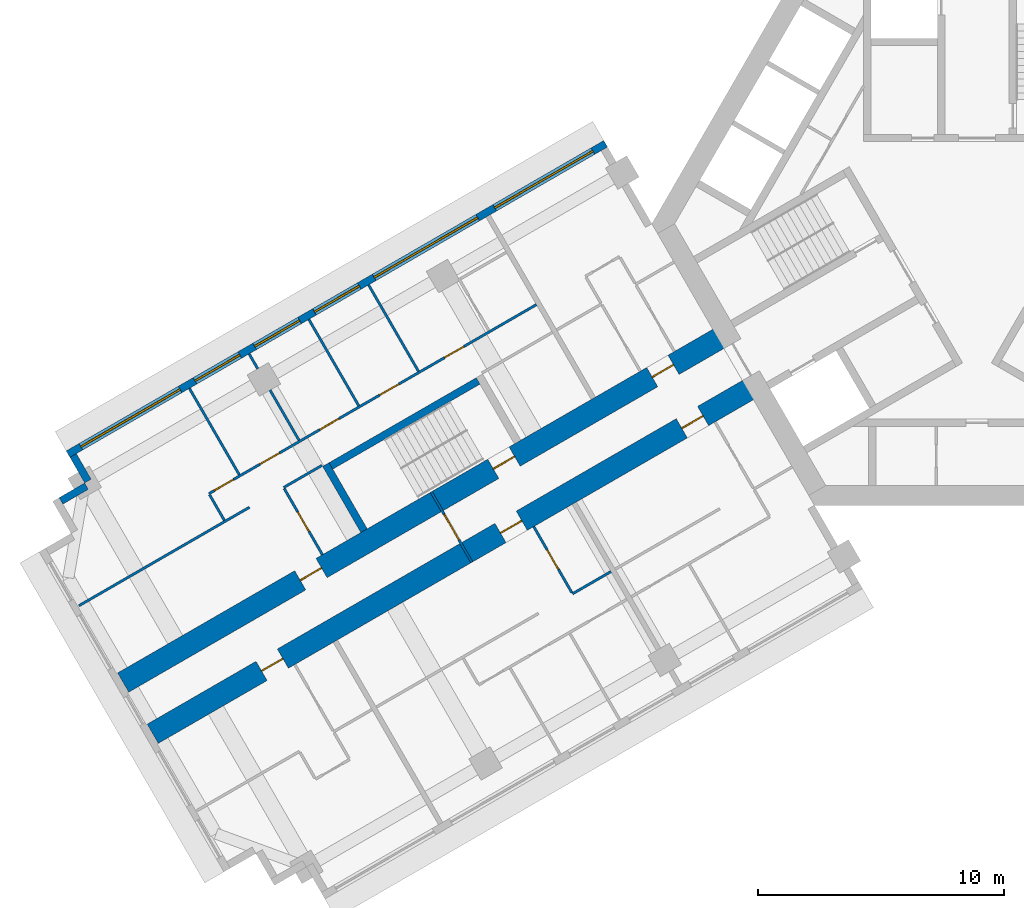
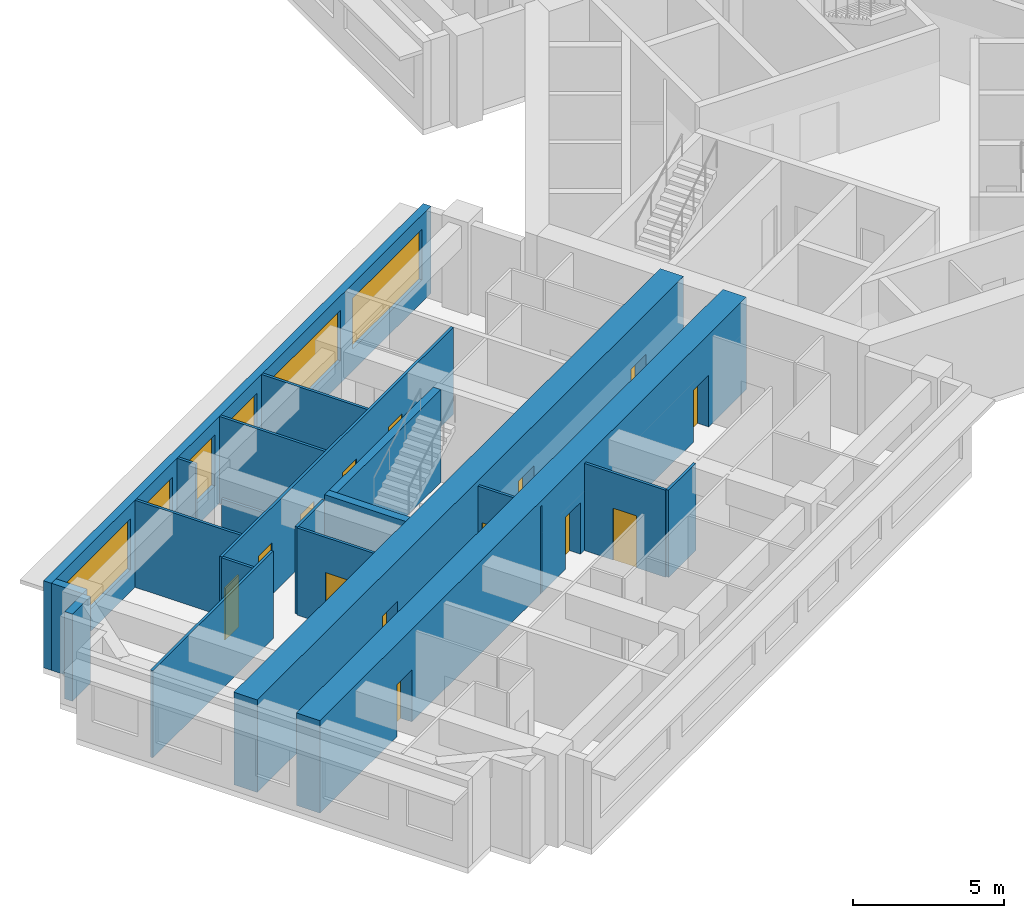
# One storey, part 3 of 13: 20 walls, 14 doors, 6 windows, 20 openings.
"""IFC4 building model written with IfcOpenShell, lengths in metres."""

from ifc_helpers import new_model, si_unit, direction, frame, frame_2d, origin, place, context, subcontext, project, spatial, rectangle, extrude, material, layer, layer_set, type_object, element, fill, save


model = new_model("IFC4")

# Units and contexts
model_context = context("Model", 3, precision=1e-05, world=origin(), true_north=direction((0.0, 1.0)))
body_context = subcontext(model_context, "Body", "Model", "MODEL_VIEW")
ifc_project = project(units=[si_unit("LENGTHUNIT", "METRE"), si_unit("AREAUNIT", "SQUARE_METRE"), si_unit("VOLUMEUNIT", "CUBIC_METRE"), si_unit("PLANEANGLEUNIT", "RADIAN"), si_unit("MASSUNIT", "GRAM", prefix="KILO")], contexts=[model_context])

# Site, building, storey
site_placement = place(None, origin())
site = spatial("IfcSite", under=ifc_project, at=site_placement, CompositionType="ELEMENT")
building_placement = place(site_placement, origin())
building = spatial("IfcBuilding", under=site, at=building_placement, Name="Impinga Residences", CompositionType="ELEMENT")
storey_placement = place(building_placement, frame((0.0, 0.0, 151.0)))
storey = spatial("IfcBuildingStorey", under=building, at=storey_placement, Name="L37", CompositionType="ELEMENT", Elevation=151.0)

# Wall, openings, doors
ifc_material_1 = material(Name="Concrete C60/75", Category="concrete")
ifc_layer_1 = layer(ifc_material_1, 0.89990234375)
ifc_layer_set_1 = layer_set([ifc_layer_1], Name="Concrete C60/75")
wall_type_1 = type_object("IfcWallType", Name="BW2 corridor buttress wall, L24 to L44 900", PredefinedType="SHEAR", material=ifc_layer_set_1)
wall_1_placement = place(storey_placement, frame((-8.95361328125, -6.554931640625, 0.0), z_axis=(0.0, 0.0, 1.0), x_axis=(-0.866023392092, -0.500003484338, 0.0)))
wall_1 = element("IfcWall", 1, at=wall_1_placement, inside=storey, type_object=wall_type_1, Name="Corridor wall BW2 WC L37", PredefinedType="SHEAR", context=body_context, shape_type="SweptSolid", body=[
    extrude(rectangle(XDim=28.300048828125, YDim=0.89990234375, at=frame_2d((14.14990234375, 0.0))), origin(), (0.0, 0.0, 1.0), 3.75),
])
opening_1_placement = place(wall_1_placement, frame((2.5, 0.0, 0.0)))
opening_1 = element("IfcOpeningElement", 2, at=opening_1_placement, cuts=wall_1, Name="Opening D1", PredefinedType="OPENING", context=body_context, shape_type="SweptSolid", body=[
    extrude(rectangle(XDim=1.0, YDim=2.10009765625, at=frame_2d((0.5, 1.050048828125))), frame((0.0, 0.4599609375, 0.0), z_axis=(0.0, -1.0, 0.0), x_axis=(1.0, 0.0, 0.0)), (0.0, 0.0, 1.0), 0.919921875),
])
opening_2_placement = place(wall_1_placement, frame((11.0, 0.0, 0.0)))
opening_2 = element("IfcOpeningElement", 3, at=opening_2_placement, cuts=wall_1, Name="Opening D1", PredefinedType="OPENING", context=body_context, shape_type="SweptSolid", body=[
    extrude(rectangle(XDim=1.0, YDim=2.10009765625, at=frame_2d((0.5, 1.050048828125))), frame((0.0, 0.4599609375, 0.0), z_axis=(0.0, -1.0, 0.0), x_axis=(1.0, 0.0, 0.0)), (0.0, 0.0, 1.0), 0.919921875),
])
opening_3_placement = place(wall_1_placement, frame((22.199951171875, 0.0, 0.0)))
opening_3 = element("IfcOpeningElement", 4, at=opening_3_placement, cuts=wall_1, Name="Opening D1", PredefinedType="OPENING", context=body_context, shape_type="SweptSolid", body=[
    extrude(rectangle(XDim=1.0, YDim=2.10009765625, at=frame_2d((0.5, 1.050048828125))), frame((0.0, 0.4599609375, 0.0), z_axis=(0.0, -1.0, 0.0), x_axis=(1.0, 0.0, 0.0)), (0.0, 0.0, 1.0), 0.919921875),
])
ifc_material_2 = material(Name="Timber door set", Category="wood")
door_type_1 = type_object("IfcDoorType", Name="D1 apartment entrance door 1000x2100", OperationType="SINGLE_SWING_LEFT", PredefinedType="DOOR", material=ifc_material_2)
door_1_placement = place(opening_1_placement, origin())
door_1 = element("IfcDoor", 5, at=door_1_placement, inside=storey, type_object=door_type_1, Name="Apartment L37-WA1 entrance", OperationType="SINGLE_SWING_LEFT", OverallHeight=2.10009765625, OverallWidth=1.0, PredefinedType="DOOR", context=body_context, shape_type="SweptSolid", body=[
    extrude(rectangle(XDim=1.0, YDim=2.10009765625, at=frame_2d((0.5, 1.050048828125))), frame((0.0, 0.02490234375, 0.0), z_axis=(0.0, -1.0, 0.0), x_axis=(1.0, 0.0, 0.0)), (0.0, 0.0, 1.0), 0.050048828125),
])
fill(opening_1, door_1)
door_2_placement = place(opening_2_placement, origin())
door_2 = element("IfcDoor", 6, at=door_2_placement, inside=storey, type_object=door_type_1, Name="Apartment L37-WA2 entrance", OperationType="SINGLE_SWING_LEFT", OverallHeight=2.10009765625, OverallWidth=1.0, PredefinedType="DOOR", context=body_context, shape_type="SweptSolid", body=[
    extrude(rectangle(XDim=1.0, YDim=2.10009765625, at=frame_2d((0.5, 1.050048828125))), frame((0.0, 0.02490234375, 0.0), z_axis=(0.0, -1.0, 0.0), x_axis=(1.0, 0.0, 0.0)), (0.0, 0.0, 1.0), 0.050048828125),
])
fill(opening_2, door_2)
door_3_placement = place(opening_3_placement, origin())
door_3 = element("IfcDoor", 7, at=door_3_placement, inside=storey, type_object=door_type_1, Name="Apartment L37-WA3 entrance", OperationType="SINGLE_SWING_RIGHT", OverallHeight=2.10009765625, OverallWidth=1.0, PredefinedType="DOOR", context=body_context, shape_type="SweptSolid", body=[
    extrude(rectangle(XDim=1.0, YDim=2.10009765625, at=frame_2d((0.5, 1.050048828125))), frame((0.0, 0.02490234375, 0.0), z_axis=(0.0, -1.0, 0.0), x_axis=(1.0, 0.0, 0.0)), (0.0, 0.0, 1.0), 0.050048828125),
])
fill(opening_3, door_3)

wall_2_placement = place(storey_placement, frame((-10.153564453125, -4.4765625, 0.0), z_axis=(0.0, 0.0, 1.0), x_axis=(-0.866027127636, -0.49999701419, 0.0)))
wall_2 = element("IfcWall", 8, at=wall_2_placement, inside=storey, type_object=wall_type_1, Name="Corridor wall BW2 WD L37", PredefinedType="SHEAR", context=body_context, shape_type="SweptSolid", body=[
    extrude(rectangle(XDim=28.300048828125, YDim=0.89990234375, at=frame_2d((14.14990234375, 0.0))), origin(), (0.0, 0.0, 1.0), 3.75),
])
opening_4_placement = place(wall_2_placement, frame((9.949951171875, 0.0, 0.0)))
opening_4 = element("IfcOpeningElement", 9, at=opening_4_placement, cuts=wall_2, Name="Opening D5", PredefinedType="OPENING", context=body_context, shape_type="SweptSolid", body=[
    extrude(rectangle(XDim=1.0, YDim=2.10009765625, at=frame_2d((0.5, 1.050048828125))), frame((0.0, 0.4599609375, 0.0), z_axis=(0.0, -1.0, 0.0), x_axis=(1.0, 0.0, 0.0)), (0.0, 0.0, 1.0), 0.919921875),
])
opening_5_placement = place(wall_2_placement, frame((2.5, 0.0, 0.0)))
opening_5 = element("IfcOpeningElement", 10, at=opening_5_placement, cuts=wall_2, Name="Opening D1", PredefinedType="OPENING", context=body_context, shape_type="SweptSolid", body=[
    extrude(rectangle(XDim=1.0, YDim=2.10009765625, at=frame_2d((0.5, 1.050048828125))), frame((0.0, 0.4599609375, 0.0), z_axis=(0.0, -1.0, 0.0), x_axis=(1.0, 0.0, 0.0)), (0.0, 0.0, 1.0), 0.919921875),
])
opening_6_placement = place(wall_2_placement, frame((19.0, 0.0, 0.0)))
opening_6 = element("IfcOpeningElement", 11, at=opening_6_placement, cuts=wall_2, Name="Opening D1", PredefinedType="OPENING", context=body_context, shape_type="SweptSolid", body=[
    extrude(rectangle(XDim=1.0, YDim=2.10009765625, at=frame_2d((0.5, 1.050048828125))), frame((0.0, 0.4599609375, 0.0), z_axis=(0.0, -1.0, 0.0), x_axis=(1.0, 0.0, 0.0)), (0.0, 0.0, 1.0), 0.919921875),
])
door_4_placement = place(opening_5_placement, origin())
door_4 = element("IfcDoor", 12, at=door_4_placement, inside=storey, type_object=door_type_1, Name="Apartment L37-WF1 entrance", OperationType="SINGLE_SWING_LEFT", OverallHeight=2.10009765625, OverallWidth=1.0, PredefinedType="DOOR", context=body_context, shape_type="SweptSolid", body=[
    extrude(rectangle(XDim=1.0, YDim=2.10009765625, at=frame_2d((0.5, 1.050048828125))), frame((0.0, 0.02490234375, 0.0), z_axis=(0.0, -1.0, 0.0), x_axis=(1.0, 0.0, 0.0)), (0.0, 0.0, 1.0), 0.050048828125),
])
fill(opening_5, door_4)
door_5_placement = place(opening_6_placement, origin())
door_5 = element("IfcDoor", 13, at=door_5_placement, inside=storey, type_object=door_type_1, Name="Apartment L37-WF2 entrance", OperationType="SINGLE_SWING_RIGHT", OverallHeight=2.10009765625, OverallWidth=1.0, PredefinedType="DOOR", context=body_context, shape_type="SweptSolid", body=[
    extrude(rectangle(XDim=1.0, YDim=2.10009765625, at=frame_2d((0.5, 1.050048828125))), frame((0.0, 0.02490234375, 0.0), z_axis=(0.0, -1.0, 0.0), x_axis=(1.0, 0.0, 0.0)), (0.0, 0.0, 1.0), 0.050048828125),
])
fill(opening_6, door_5)
door_type_2 = type_object("IfcDoorType", Name="D5 stair door 1000x2100", OperationType="SINGLE_SWING_LEFT", PredefinedType="DOOR", material=ifc_material_2)
door_6_placement = place(opening_4_placement, origin())
door_6 = element("IfcDoor", 14, at=door_6_placement, inside=storey, type_object=door_type_2, Name="Wing stair door W", OperationType="SINGLE_SWING_LEFT", OverallHeight=2.10009765625, OverallWidth=1.0, PredefinedType="DOOR", context=body_context, shape_type="SweptSolid", body=[
    extrude(rectangle(XDim=1.0, YDim=2.10009765625, at=frame_2d((0.5, 1.050048828125))), frame((0.0, 0.02490234375, 0.0), z_axis=(0.0, -1.0, 0.0), x_axis=(1.0, 0.0, 0.0)), (0.0, 0.0, 1.0), 0.050048828125),
])
fill(opening_4, door_6)

# Wall, opening, door
ifc_material_3 = material(Name="Concrete blockwork", Category="masonry")
ifc_layer_2 = layer(ifc_material_3, 0.10009765625)
ifc_layer_set_2 = layer_set([ifc_layer_2], Name="CP1 core room partition, blockwork 100")
wall_type_2 = type_object("IfcWallType", Name="CP1 core room partition, blockwork 100", PredefinedType="PARTITIONING", material=ifc_layer_set_2)
wall_3_placement = place(storey_placement, frame((-20.506591796875, -13.74462890625, 0.0), z_axis=(0.0, 0.0, 1.0), x_axis=(-0.499974350878, 0.866040211805, 0.0)))
wall_3 = element("IfcWall", 15, at=wall_3_placement, inside=storey, type_object=wall_type_2, Name="Core room partition, blockwork L37:W:PLB", PredefinedType="PARTITIONING", context=body_context, shape_type="SweptSolid", body=[
    extrude(rectangle(XDim=3.300048828125, YDim=0.10009765625, at=frame_2d((1.64990234375, 0.0))), origin(), (0.0, 0.0, 1.0), 3.530029296875),
])
opening_7_placement = place(wall_3_placement, frame((1.050048828125, 0.0, 0.0)))
opening_7 = element("IfcOpeningElement", 16, at=opening_7_placement, cuts=wall_3, Name="Opening D3", PredefinedType="OPENING", context=body_context, shape_type="SweptSolid", body=[
    extrude(rectangle(XDim=1.199951171875, YDim=2.10009765625, at=frame_2d((0.60009765625, 1.050048828125))), frame((0.0, 0.06005859375, 0.0), z_axis=(0.0, -1.0, 0.0), x_axis=(1.0, 0.0, 0.0)), (0.0, 0.0, 1.0), 0.1201171875),
])
door_type_3 = type_object("IfcDoorType", Name="D3 room door, leaf and a half 1200x2100", OperationType="DOUBLE_SWING_LEFT", PredefinedType="DOOR", material=ifc_material_2)
door_7_placement = place(opening_7_placement, origin())
door_7 = element("IfcDoor", 17, at=door_7_placement, inside=storey, type_object=door_type_3, Name="Private lobby door W", OperationType="DOUBLE_SWING_LEFT", OverallHeight=2.10009765625, OverallWidth=1.199951171875, PredefinedType="DOOR", context=body_context, shape_type="SweptSolid", body=[
    extrude(rectangle(XDim=1.199951171875, YDim=2.10009765625, at=frame_2d((0.60009765625, 1.050048828125))), frame((0.0, 0.02490234375, 0.0), z_axis=(0.0, -1.0, 0.0), x_axis=(1.0, 0.0, 0.0)), (0.0, 0.0, 1.0), 0.050048828125),
])
fill(opening_7, door_7)

# Walls
ifc_material_4 = material(Name="Terracotta rainscreen on blockwork", Category="masonry")
ifc_layer_3 = layer(ifc_material_4, 0.300048828125)
ifc_layer_set_3 = layer_set([ifc_layer_3], Name="EW1 external wall, terracotta rainscreen on blockwork 300")
wall_type_3 = type_object("IfcWallType", Name="EW1 external wall, terracotta rainscreen on blockwork 300", PredefinedType="SOLIDWALL", material=ifc_layer_set_3)
wall_4_placement = place(storey_placement, frame((-37.18798828125, -11.25146484375, 0.0), z_axis=(0.0, 0.0, 1.0), x_axis=(0.866059708757, 0.499940577336, 0.0)))
element("IfcWall", 18, at=wall_4_placement, inside=storey, type_object=wall_type_3, Name="External wall EW1 L37", PredefinedType="SOLIDWALL", context=body_context, shape_type="SweptSolid", body=[
    extrude(rectangle(XDim=1.195068359375, YDim=0.300048828125, at=frame_2d((0.59765625, 0.0))), origin(), (0.0, 0.0, 1.0), 3.530029296875),
])
wall_5_placement = place(storey_placement, frame((-36.093994140625, -10.446533203125, 0.0), z_axis=(0.0, 0.0, 1.0), x_axis=(-0.499880961361, 0.866094119867, 0.0)))
element("IfcWall", 19, at=wall_5_placement, inside=storey, type_object=wall_type_3, Name="External wall EW1 L37", PredefinedType="SOLIDWALL", context=body_context, shape_type="SweptSolid", body=[
    extrude(rectangle(XDim=1.199951171875, YDim=0.300048828125, at=frame_2d((0.60009765625, 0.0))), origin(), (0.0, 0.0, 1.0), 3.530029296875),
])

# Wall, openings, windows
wall_6_placement = place(storey_placement, frame((-36.89892578125, -9.352294921875, 0.0), z_axis=(0.0, 0.0, 1.0), x_axis=(0.86602925447, 0.499993330357, 0.0)))
wall_6 = element("IfcWall", 20, at=wall_6_placement, inside=storey, type_object=wall_type_3, Name="External wall EW1 L37", PredefinedType="SOLIDWALL", context=body_context, shape_type="SweptSolid", body=[
    extrude(rectangle(XDim=25.199951171875, YDim=0.300048828125, at=frame_2d((12.60009765625, 0.0))), origin(), (0.0, 0.0, 1.0), 3.530029296875),
])
opening_8_placement = place(wall_6_placement, frame((0.60009765625, 0.0, 0.89990234375)))
opening_8 = element("IfcOpeningElement", 21, at=opening_8_placement, cuts=wall_6, Name="Opening W10", PredefinedType="OPENING", context=body_context, shape_type="SweptSolid", body=[
    extrude(rectangle(XDim=4.64990234375, YDim=2.050048828125, at=frame_2d((2.324951171875, 1.02490234375))), frame((0.0, 0.159912109375, 0.0), z_axis=(0.0, -1.0, 0.0), x_axis=(1.0, 0.0, 0.0)), (0.0, 0.0, 1.0), 0.320068359375),
])
opening_9_placement = place(wall_6_placement, frame((5.949951171875, 0.0, 0.89990234375)))
opening_9 = element("IfcOpeningElement", 22, at=opening_9_placement, cuts=wall_6, Name="Opening W9", PredefinedType="OPENING", context=body_context, shape_type="SweptSolid", body=[
    extrude(rectangle(XDim=2.10009765625, YDim=2.050048828125, at=frame_2d((1.050048828125, 1.02490234375))), frame((0.0, 0.159912109375, 0.0), z_axis=(0.0, -1.0, 0.0), x_axis=(1.0, 0.0, 0.0)), (0.0, 0.0, 1.0), 0.320068359375),
])
opening_10_placement = place(wall_6_placement, frame((8.75, 0.0, 0.89990234375)))
opening_10 = element("IfcOpeningElement", 23, at=opening_10_placement, cuts=wall_6, Name="Opening W9", PredefinedType="OPENING", context=body_context, shape_type="SweptSolid", body=[
    extrude(rectangle(XDim=2.10009765625, YDim=2.050048828125, at=frame_2d((1.050048828125, 1.02490234375))), frame((0.0, 0.159912109375, 0.0), z_axis=(0.0, -1.0, 0.0), x_axis=(1.0, 0.0, 0.0)), (0.0, 0.0, 1.0), 0.320068359375),
])
opening_11_placement = place(wall_6_placement, frame((11.550048828125, 0.0, 0.89990234375)))
opening_11 = element("IfcOpeningElement", 24, at=opening_11_placement, cuts=wall_6, Name="Opening W9", PredefinedType="OPENING", context=body_context, shape_type="SweptSolid", body=[
    extrude(rectangle(XDim=2.10009765625, YDim=2.050048828125, at=frame_2d((1.050048828125, 1.02490234375))), frame((0.0, 0.159912109375, 0.0), z_axis=(0.0, -1.0, 0.0), x_axis=(1.0, 0.0, 0.0)), (0.0, 0.0, 1.0), 0.320068359375),
])
opening_12_placement = place(wall_6_placement, frame((14.35009765625, 0.0, 0.89990234375)))
opening_12 = element("IfcOpeningElement", 25, at=opening_12_placement, cuts=wall_6, Name="Opening W6", PredefinedType="OPENING", context=body_context, shape_type="SweptSolid", body=[
    extrude(rectangle(XDim=4.85009765625, YDim=2.050048828125, at=frame_2d((2.425048828125, 1.02490234375))), frame((0.0, 0.159912109375, 0.0), z_axis=(0.0, -1.0, 0.0), x_axis=(1.0, 0.0, 0.0)), (0.0, 0.0, 1.0), 0.320068359375),
])
opening_13_placement = place(wall_6_placement, frame((20.0, 0.0, 0.89990234375)))
opening_13 = element("IfcOpeningElement", 26, at=opening_13_placement, cuts=wall_6, Name="Opening W3", PredefinedType="OPENING", context=body_context, shape_type="SweptSolid", body=[
    extrude(rectangle(XDim=4.60009765625, YDim=2.050048828125, at=frame_2d((2.300048828125, 1.02490234375))), frame((0.0, 0.159912109375, 0.0), z_axis=(0.0, -1.0, 0.0), x_axis=(1.0, 0.0, 0.0)), (0.0, 0.0, 1.0), 0.320068359375),
])
ifc_material_5 = material(Name="Aluminium window, clear double glazing", Category="aluminium")
window_type_1 = type_object("IfcWindowType", Name="W10 ribbon window 4650x2050", PartitioningType="SINGLE_PANEL", PredefinedType="WINDOW", material=ifc_material_5)
window_1_placement = place(opening_8_placement, origin())
window_1 = element("IfcWindow", 27, at=window_1_placement, inside=storey, type_object=window_type_1, Name="Window L37", OverallHeight=2.050048828125, OverallWidth=4.64990234375, PartitioningType="SINGLE_PANEL", PredefinedType="WINDOW", context=body_context, shape_type="SweptSolid", body=[
    extrude(rectangle(XDim=4.64990234375, YDim=2.050048828125, at=frame_2d((2.324951171875, 1.02490234375))), frame((0.0, 0.030029296875, 0.0), z_axis=(0.0, -1.0, 0.0), x_axis=(1.0, 0.0, 0.0)), (0.0, 0.0, 1.0), 0.06005859375),
])
fill(opening_8, window_1)
window_type_2 = type_object("IfcWindowType", Name="W3 ribbon window 4600x2050", PartitioningType="SINGLE_PANEL", PredefinedType="WINDOW", material=ifc_material_5)
window_2_placement = place(opening_13_placement, origin())
window_2 = element("IfcWindow", 28, at=window_2_placement, inside=storey, type_object=window_type_2, Name="Window L37", OverallHeight=2.050048828125, OverallWidth=4.60009765625, PartitioningType="SINGLE_PANEL", PredefinedType="WINDOW", context=body_context, shape_type="SweptSolid", body=[
    extrude(rectangle(XDim=4.60009765625, YDim=2.050048828125, at=frame_2d((2.300048828125, 1.02490234375))), frame((0.0, 0.030029296875, 0.0), z_axis=(0.0, -1.0, 0.0), x_axis=(1.0, 0.0, 0.0)), (0.0, 0.0, 1.0), 0.06005859375),
])
fill(opening_13, window_2)
window_type_3 = type_object("IfcWindowType", Name="W6 ribbon window 4850x2050", PartitioningType="SINGLE_PANEL", PredefinedType="WINDOW", material=ifc_material_5)
window_3_placement = place(opening_12_placement, origin())
window_3 = element("IfcWindow", 29, at=window_3_placement, inside=storey, type_object=window_type_3, Name="Window L37", OverallHeight=2.050048828125, OverallWidth=4.85009765625, PartitioningType="SINGLE_PANEL", PredefinedType="WINDOW", context=body_context, shape_type="SweptSolid", body=[
    extrude(rectangle(XDim=4.85009765625, YDim=2.050048828125, at=frame_2d((2.425048828125, 1.02490234375))), frame((0.0, 0.030029296875, 0.0), z_axis=(0.0, -1.0, 0.0), x_axis=(1.0, 0.0, 0.0)), (0.0, 0.0, 1.0), 0.06005859375),
])
fill(opening_12, window_3)
window_type_4 = type_object("IfcWindowType", Name="W9 ribbon window 2100x2050", PartitioningType="SINGLE_PANEL", PredefinedType="WINDOW", material=ifc_material_5)
window_4_placement = place(opening_9_placement, origin())
window_4 = element("IfcWindow", 30, at=window_4_placement, inside=storey, type_object=window_type_4, Name="Window L37", OverallHeight=2.050048828125, OverallWidth=2.10009765625, PartitioningType="SINGLE_PANEL", PredefinedType="WINDOW", context=body_context, shape_type="SweptSolid", body=[
    extrude(rectangle(XDim=2.10009765625, YDim=2.050048828125, at=frame_2d((1.050048828125, 1.02490234375))), frame((0.0, 0.030029296875, 0.0), z_axis=(0.0, -1.0, 0.0), x_axis=(1.0, 0.0, 0.0)), (0.0, 0.0, 1.0), 0.06005859375),
])
fill(opening_9, window_4)
window_5_placement = place(opening_10_placement, origin())
window_5 = element("IfcWindow", 31, at=window_5_placement, inside=storey, type_object=window_type_4, Name="Window L37", OverallHeight=2.050048828125, OverallWidth=2.10009765625, PartitioningType="SINGLE_PANEL", PredefinedType="WINDOW", context=body_context, shape_type="SweptSolid", body=[
    extrude(rectangle(XDim=2.10009765625, YDim=2.050048828125, at=frame_2d((1.050048828125, 1.02490234375))), frame((0.0, 0.030029296875, 0.0), z_axis=(0.0, -1.0, 0.0), x_axis=(1.0, 0.0, 0.0)), (0.0, 0.0, 1.0), 0.06005859375),
])
fill(opening_10, window_5)
window_6_placement = place(opening_11_placement, origin())
window_6 = element("IfcWindow", 32, at=window_6_placement, inside=storey, type_object=window_type_4, Name="Window L37", OverallHeight=2.050048828125, OverallWidth=2.10009765625, PartitioningType="SINGLE_PANEL", PredefinedType="WINDOW", context=body_context, shape_type="SweptSolid", body=[
    extrude(rectangle(XDim=2.10009765625, YDim=2.050048828125, at=frame_2d((1.050048828125, 1.02490234375))), frame((0.0, 0.030029296875, 0.0), z_axis=(0.0, -1.0, 0.0), x_axis=(1.0, 0.0, 0.0)), (0.0, 0.0, 1.0), 0.06005859375),
])
fill(opening_11, window_6)

# Wall
ifc_material_6 = material(Name="Gypsum board on steel studs", Category="steel")
ifc_layer_4 = layer(ifc_material_6, 0.10009765625)
ifc_layer_set_4 = layer_set([ifc_layer_4], Name="Gypsum board on steel studs")
wall_type_4 = type_object("IfcWallType", Name="IP1 partition 100", PredefinedType="PARTITIONING", material=ifc_layer_set_4)
wall_7_placement = place(storey_placement, frame((-14.861328125, -14.122802734375, 0.0), z_axis=(0.0, 0.0, 1.0), x_axis=(-0.866047807691, -0.499961193289, 0.0)))
element("IfcWall", 33, at=wall_7_placement, inside=storey, type_object=wall_type_4, Name="Partition L37-WA2:DIV0", PredefinedType="PARTITIONING", context=body_context, shape_type="SweptSolid", body=[
    extrude(rectangle(XDim=1.800048828125, YDim=0.10009765625, at=frame_2d((0.89990234375, 0.0))), origin(), (0.0, 0.0, 1.0), 3.530029296875),
])

# Wall, opening, door
wall_8_placement = place(storey_placement, frame((-17.9951171875, -12.294677734375, 0.0), z_axis=(0.0, 0.0, 1.0), x_axis=(0.49999285859, -0.86602952684, 0.0)))
wall_8 = element("IfcWall", 34, at=wall_8_placement, inside=storey, type_object=wall_type_4, Name="Partition L37-WA2:IB1", PredefinedType="PARTITIONING", context=body_context, shape_type="SweptSolid", body=[
    extrude(rectangle(XDim=3.10009765625, YDim=0.10009765625, at=frame_2d((1.550048828125, 0.0))), origin(), (0.0, 0.0, 1.0), 3.530029296875),
])
opening_14_placement = place(wall_8_placement, frame((1.10009765625, 0.0, 0.0)))
opening_14 = element("IfcOpeningElement", 35, at=opening_14_placement, cuts=wall_8, Name="Opening D2", PredefinedType="OPENING", context=body_context, shape_type="SweptSolid", body=[
    extrude(rectangle(XDim=0.89990234375, YDim=2.10009765625, at=frame_2d((0.449951171875, 1.050048828125))), frame((0.0, 0.06005859375, 0.0), z_axis=(0.0, -1.0, 0.0), x_axis=(1.0, 0.0, 0.0)), (0.0, 0.0, 1.0), 0.1201171875),
])
door_type_4 = type_object("IfcDoorType", Name="D2 internal door 900x2100", OperationType="SINGLE_SWING_LEFT", PredefinedType="DOOR", material=ifc_material_2)
door_8_placement = place(opening_14_placement, origin())
door_8 = element("IfcDoor", 36, at=door_8_placement, inside=storey, type_object=door_type_4, Name="Apartment L37-WA2 bathroom door", OperationType="SINGLE_SWING_LEFT", OverallHeight=2.10009765625, OverallWidth=0.89990234375, PredefinedType="DOOR", context=body_context, shape_type="SweptSolid", body=[
    extrude(rectangle(XDim=0.89990234375, YDim=2.10009765625, at=frame_2d((0.449951171875, 1.050048828125))), frame((0.0, 0.02490234375, 0.0), z_axis=(0.0, -1.0, 0.0), x_axis=(1.0, 0.0, 0.0)), (0.0, 0.0, 1.0), 0.050048828125),
])
fill(opening_14, door_8)

# Walls
wall_9_placement = place(storey_placement, frame((-26.58935546875, -9.808837890625, 0.0), z_axis=(0.0, 0.0, 1.0), x_axis=(-0.866047807691, -0.499961193289, 0.0)))
element("IfcWall", 37, at=wall_9_placement, inside=storey, type_object=wall_type_4, Name="Partition L37-WF2:DIV1", PredefinedType="PARTITIONING", context=body_context, shape_type="SweptSolid", body=[
    extrude(rectangle(XDim=1.800048828125, YDim=0.10009765625, at=frame_2d((0.89990234375, 0.0))), origin(), (0.0, 0.0, 1.0), 3.530029296875),
])
wall_10_placement = place(storey_placement, frame((-29.533935546875, -11.5087890625, 0.0), z_axis=(0.0, 0.0, 1.0), x_axis=(-0.866026010844, -0.49999894854, 0.0)))
element("IfcWall", 38, at=wall_10_placement, inside=storey, type_object=wall_type_4, Name="Partition L37-WF2:DIV2", PredefinedType="PARTITIONING", context=body_context, shape_type="SweptSolid", body=[
    extrude(rectangle(XDim=8.0, YDim=0.10009765625, at=frame_2d((4.0, 0.0))), origin(), (0.0, 0.0, 1.0), 3.530029296875),
])

# Wall, openings, doors
wall_11_placement = place(storey_placement, frame((-17.88623046875, -3.282958984375, 0.0), z_axis=(0.0, 0.0, 1.0), x_axis=(-0.866027466469, -0.499996427309, 0.0)))
wall_11 = element("IfcWall", 39, at=wall_11_placement, inside=storey, type_object=wall_type_4, Name="Partition L37-WF2:STRIP", PredefinedType="PARTITIONING", context=body_context, shape_type="SweptSolid", body=[
    extrude(rectangle(XDim=15.35009765625, YDim=0.10009765625, at=frame_2d((7.675048828125, 0.0))), origin(), (0.0, 0.0, 1.0), 3.530029296875),
])
opening_15_placement = place(wall_11_placement, frame((3.39990234375, 0.0, 0.0)))
opening_15 = element("IfcOpeningElement", 40, at=opening_15_placement, cuts=wall_11, Name="Opening D2", PredefinedType="OPENING", context=body_context, shape_type="SweptSolid", body=[
    extrude(rectangle(XDim=0.89990234375, YDim=2.10009765625, at=frame_2d((0.449951171875, 1.050048828125))), frame((0.0, 0.06005859375, 0.0), z_axis=(0.0, -1.0, 0.0), x_axis=(1.0, 0.0, 0.0)), (0.0, 0.0, 1.0), 0.1201171875),
])
opening_16_placement = place(wall_11_placement, frame((6.449951171875, 0.0, 0.0)))
opening_16 = element("IfcOpeningElement", 41, at=opening_16_placement, cuts=wall_11, Name="Opening D2", PredefinedType="OPENING", context=body_context, shape_type="SweptSolid", body=[
    extrude(rectangle(XDim=0.89990234375, YDim=2.10009765625, at=frame_2d((0.449951171875, 1.050048828125))), frame((0.0, 0.06005859375, 0.0), z_axis=(0.0, -1.0, 0.0), x_axis=(1.0, 0.0, 0.0)), (0.0, 0.0, 1.0), 0.1201171875),
])
opening_17_placement = place(wall_11_placement, frame((9.25, 0.0, 0.0)))
opening_17 = element("IfcOpeningElement", 42, at=opening_17_placement, cuts=wall_11, Name="Opening D2", PredefinedType="OPENING", context=body_context, shape_type="SweptSolid", body=[
    extrude(rectangle(XDim=0.89990234375, YDim=2.10009765625, at=frame_2d((0.449951171875, 1.050048828125))), frame((0.0, 0.06005859375, 0.0), z_axis=(0.0, -1.0, 0.0), x_axis=(1.0, 0.0, 0.0)), (0.0, 0.0, 1.0), 0.1201171875),
])
opening_18_placement = place(wall_11_placement, frame((12.050048828125, 0.0, 0.0)))
opening_18 = element("IfcOpeningElement", 43, at=opening_18_placement, cuts=wall_11, Name="Opening D2", PredefinedType="OPENING", context=body_context, shape_type="SweptSolid", body=[
    extrude(rectangle(XDim=0.89990234375, YDim=2.10009765625, at=frame_2d((0.449951171875, 1.050048828125))), frame((0.0, 0.06005859375, 0.0), z_axis=(0.0, -1.0, 0.0), x_axis=(1.0, 0.0, 0.0)), (0.0, 0.0, 1.0), 0.1201171875),
])
opening_19_placement = place(wall_11_placement, frame((14.199951171875, 0.0, 0.0)))
opening_19 = element("IfcOpeningElement", 44, at=opening_19_placement, cuts=wall_11, Name="Opening D2", PredefinedType="OPENING", context=body_context, shape_type="SweptSolid", body=[
    extrude(rectangle(XDim=0.89990234375, YDim=2.10009765625, at=frame_2d((0.449951171875, 1.050048828125))), frame((0.0, 0.06005859375, 0.0), z_axis=(0.0, -1.0, 0.0), x_axis=(1.0, 0.0, 0.0)), (0.0, 0.0, 1.0), 0.1201171875),
])
door_9_placement = place(opening_15_placement, origin())
door_9 = element("IfcDoor", 45, at=door_9_placement, inside=storey, type_object=door_type_4, Name="Apartment L37-WF2 room door", OperationType="SINGLE_SWING_LEFT", OverallHeight=2.10009765625, OverallWidth=0.89990234375, PredefinedType="DOOR", context=body_context, shape_type="SweptSolid", body=[
    extrude(rectangle(XDim=0.89990234375, YDim=2.10009765625, at=frame_2d((0.449951171875, 1.050048828125))), frame((0.0, 0.02490234375, 0.0), z_axis=(0.0, -1.0, 0.0), x_axis=(1.0, 0.0, 0.0)), (0.0, 0.0, 1.0), 0.050048828125),
])
fill(opening_15, door_9)
door_10_placement = place(opening_16_placement, origin())
door_10 = element("IfcDoor", 46, at=door_10_placement, inside=storey, type_object=door_type_4, Name="Apartment L37-WF2 room door", OperationType="SINGLE_SWING_LEFT", OverallHeight=2.10009765625, OverallWidth=0.89990234375, PredefinedType="DOOR", context=body_context, shape_type="SweptSolid", body=[
    extrude(rectangle(XDim=0.89990234375, YDim=2.10009765625, at=frame_2d((0.449951171875, 1.050048828125))), frame((0.0, 0.02490234375, 0.0), z_axis=(0.0, -1.0, 0.0), x_axis=(1.0, 0.0, 0.0)), (0.0, 0.0, 1.0), 0.050048828125),
])
fill(opening_16, door_10)
door_11_placement = place(opening_17_placement, origin())
door_11 = element("IfcDoor", 47, at=door_11_placement, inside=storey, type_object=door_type_4, Name="Apartment L37-WF2 room door", OperationType="SINGLE_SWING_RIGHT", OverallHeight=2.10009765625, OverallWidth=0.89990234375, PredefinedType="DOOR", context=body_context, shape_type="SweptSolid", body=[
    extrude(rectangle(XDim=0.89990234375, YDim=2.10009765625, at=frame_2d((0.449951171875, 1.050048828125))), frame((0.0, 0.02490234375, 0.0), z_axis=(0.0, -1.0, 0.0), x_axis=(1.0, 0.0, 0.0)), (0.0, 0.0, 1.0), 0.050048828125),
])
fill(opening_17, door_11)
door_12_placement = place(opening_18_placement, origin())
door_12 = element("IfcDoor", 48, at=door_12_placement, inside=storey, type_object=door_type_4, Name="Apartment L37-WF2 room door", OperationType="SINGLE_SWING_RIGHT", OverallHeight=2.10009765625, OverallWidth=0.89990234375, PredefinedType="DOOR", context=body_context, shape_type="SweptSolid", body=[
    extrude(rectangle(XDim=0.89990234375, YDim=2.10009765625, at=frame_2d((0.449951171875, 1.050048828125))), frame((0.0, 0.02490234375, 0.0), z_axis=(0.0, -1.0, 0.0), x_axis=(1.0, 0.0, 0.0)), (0.0, 0.0, 1.0), 0.050048828125),
])
fill(opening_18, door_12)
door_13_placement = place(opening_19_placement, origin())
door_13 = element("IfcDoor", 49, at=door_13_placement, inside=storey, type_object=door_type_4, Name="Apartment L37-WF2 room door", OperationType="SINGLE_SWING_RIGHT", OverallHeight=2.10009765625, OverallWidth=0.89990234375, PredefinedType="DOOR", context=body_context, shape_type="SweptSolid", body=[
    extrude(rectangle(XDim=0.89990234375, YDim=2.10009765625, at=frame_2d((0.449951171875, 1.050048828125))), frame((0.0, 0.02490234375, 0.0), z_axis=(0.0, -1.0, 0.0), x_axis=(1.0, 0.0, 0.0)), (0.0, 0.0, 1.0), 0.050048828125),
])
fill(opening_19, door_13)

# Wall
wall_12_placement = place(storey_placement, frame((-30.554931640625, -12.04052734375, 0.0), z_axis=(0.0, 0.0, 1.0), x_axis=(-0.499880961361, 0.866094119867, 0.0)))
element("IfcWall", 50, at=wall_12_placement, inside=storey, type_object=wall_type_4, Name="Partition L37-WF2:SE1", PredefinedType="PARTITIONING", context=body_context, shape_type="SweptSolid", body=[
    extrude(rectangle(XDim=1.199951171875, YDim=0.10009765625, at=frame_2d((0.60009765625, 0.0))), origin(), (0.0, 0.0, 1.0), 3.530029296875),
])

# Wall, opening, door
wall_13_placement = place(storey_placement, frame((-26.5732421875, -13.436767578125, 0.0), z_axis=(0.0, 0.0, 1.0), x_axis=(-0.500026960575, 0.86600983753, 0.0)))
wall_13 = element("IfcWall", 51, at=wall_13_placement, inside=storey, type_object=wall_type_4, Name="Partition L37-WF2:IB1", PredefinedType="PARTITIONING", context=body_context, shape_type="SweptSolid", body=[
    extrude(rectangle(XDim=3.099853515625, YDim=0.10009765625, at=frame_2d((1.5498046875, 0.0))), origin(), (0.0, 0.0, 1.0), 3.530029296875),
])
opening_20_placement = place(wall_13_placement, frame((1.10009765625, 0.0, 0.0)))
opening_20 = element("IfcOpeningElement", 52, at=opening_20_placement, cuts=wall_13, Name="Opening D2", PredefinedType="OPENING", context=body_context, shape_type="SweptSolid", body=[
    extrude(rectangle(XDim=0.89990234375, YDim=2.10009765625, at=frame_2d((0.449951171875, 1.050048828125))), frame((0.0, 0.06005859375, 0.0), z_axis=(0.0, -1.0, 0.0), x_axis=(1.0, 0.0, 0.0)), (0.0, 0.0, 1.0), 0.1201171875),
])
door_14_placement = place(opening_20_placement, origin())
door_14 = element("IfcDoor", 53, at=door_14_placement, inside=storey, type_object=door_type_4, Name="Apartment L37-WF2 bathroom door", OperationType="SINGLE_SWING_LEFT", OverallHeight=2.10009765625, OverallWidth=0.89990234375, PredefinedType="DOOR", context=body_context, shape_type="SweptSolid", body=[
    extrude(rectangle(XDim=0.89990234375, YDim=2.10009765625, at=frame_2d((0.449951171875, 1.050048828125))), frame((0.0, 0.02490234375, 0.0), z_axis=(0.0, -1.0, 0.0), x_axis=(1.0, 0.0, 0.0)), (0.0, 0.0, 1.0), 0.050048828125),
])
fill(opening_20, door_14)

# Walls
for number, where, z_axis, x_axis, name in (
    (54, (-22.674560546875, -5.98974609375, 0.0), (0.0, 0.0, 1.0), (-0.499990325971, 0.866030989016, 0.0), "Partition L37-WF2:OB1"),
    (55, (-25.099365234375, -7.3896484375, 0.0), (0.0, 0.0, 1.0), (-0.499990325971, 0.866030989016, 0.0), "Partition L37-WF2:OB2"),
):
    element("IfcWall", number, at=place(storey_placement, frame(where, z_axis=z_axis, x_axis=x_axis)), inside=storey, type_object=wall_type_4, Name=name, PredefinedType="PARTITIONING", context=body_context, shape_type="SweptSolid", body=[
        extrude(rectangle(XDim=4.0498046875, YDim=0.10009765625, at=frame_2d((2.02490234375, 0.0))), origin(), (0.0, 0.0, 1.0), 3.530029296875),
    ])
wall_14_placement = place(storey_placement, frame((-27.524169921875, -8.789794921875, 0.0), z_axis=(0.0, 0.0, 1.0), x_axis=(-0.500016218704, 0.866016039709, 0.0)))
element("IfcWall", 56, at=wall_14_placement, inside=storey, type_object=wall_type_4, Name="Partition L37-WF2:OB3", PredefinedType="PARTITIONING", context=body_context, shape_type="SweptSolid", body=[
    extrude(rectangle(XDim=2.35009765625, YDim=0.10009765625, at=frame_2d((1.175048828125, 0.0))), origin(), (0.0, 0.0, 1.0), 2.47998046875),
])
wall_15_placement = place(storey_placement, frame((-29.19921875, -5.888427734375, 0.0), z_axis=(0.0, 0.0, 1.0), x_axis=(-0.500114896893, 0.865959057869, 0.0)))
element("IfcWall", 57, at=wall_15_placement, inside=storey, type_object=wall_type_4, Name="Partition L37-WF2:OB3b", PredefinedType="PARTITIONING", context=body_context, shape_type="SweptSolid", body=[
    extrude(rectangle(XDim=0.699951171875, YDim=0.10009765625, at=frame_2d((0.35009765625, 0.0))), origin(), (0.0, 0.0, 1.0), 3.530029296875),
])
wall_16_placement = place(storey_placement, frame((-29.94921875, -10.189697265625, 0.0), z_axis=(0.0, 0.0, 1.0), x_axis=(-0.499990325971, 0.866030989016, 0.0)))
element("IfcWall", 58, at=wall_16_placement, inside=storey, type_object=wall_type_4, Name="Partition L37-WF2:OB4", PredefinedType="PARTITIONING", context=body_context, shape_type="SweptSolid", body=[
    extrude(rectangle(XDim=4.0498046875, YDim=0.10009765625, at=frame_2d((2.02490234375, 0.0))), origin(), (0.0, 0.0, 1.0), 3.530029296875),
])
ifc_layer_5 = layer(ifc_material_1, 0.300048828125)
ifc_layer_set_5 = layer_set([ifc_layer_5], Name="Concrete C60/75")
wall_type_5 = type_object("IfcWallType", Name="SE1 wing stair enclosure wall 300", PredefinedType="SOLIDWALL", material=ifc_layer_set_5)
wall_17_placement = place(storey_placement, frame((-24.884521484375, -12.4619140625, 0.0), z_axis=(0.0, 0.0, 1.0), x_axis=(-0.49999285859, 0.86602952684, 0.0)))
element("IfcWall", 59, at=wall_17_placement, inside=storey, type_object=wall_type_5, Name="Stair enclosure wall SE1 W END1 L37", PredefinedType="SOLIDWALL", context=body_context, shape_type="SweptSolid", body=[
    extrude(rectangle(XDim=3.10009765625, YDim=0.300048828125, at=frame_2d((1.550048828125, 0.0))), origin(), (0.0, 0.0, 1.0), 3.75),
])
wall_18_placement = place(storey_placement, frame((-20.254150390625, -6.382080078125, 0.0), z_axis=(0.0, 0.0, 1.0), x_axis=(-0.866020008033, -0.500009345598, 0.0)))
element("IfcWall", 60, at=wall_18_placement, inside=storey, type_object=wall_type_5, Name="Stair enclosure wall SE1 W OUT L37", PredefinedType="SOLIDWALL", context=body_context, shape_type="SweptSolid", body=[
    extrude(rectangle(XDim=6.899658203125, YDim=0.300048828125, at=frame_2d((3.44970703125, 0.0))), origin(), (0.0, 0.0, 1.0), 3.75),
])

save(model, "model.ifc")
